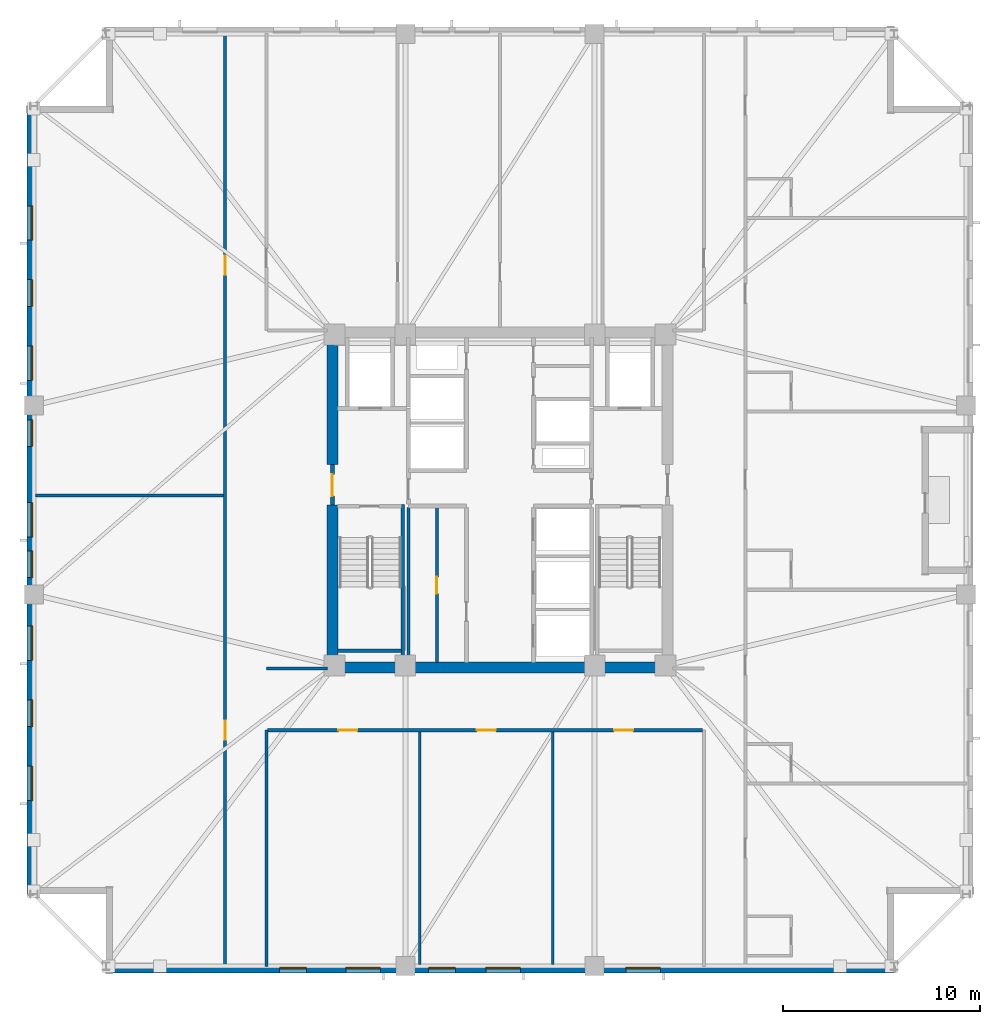
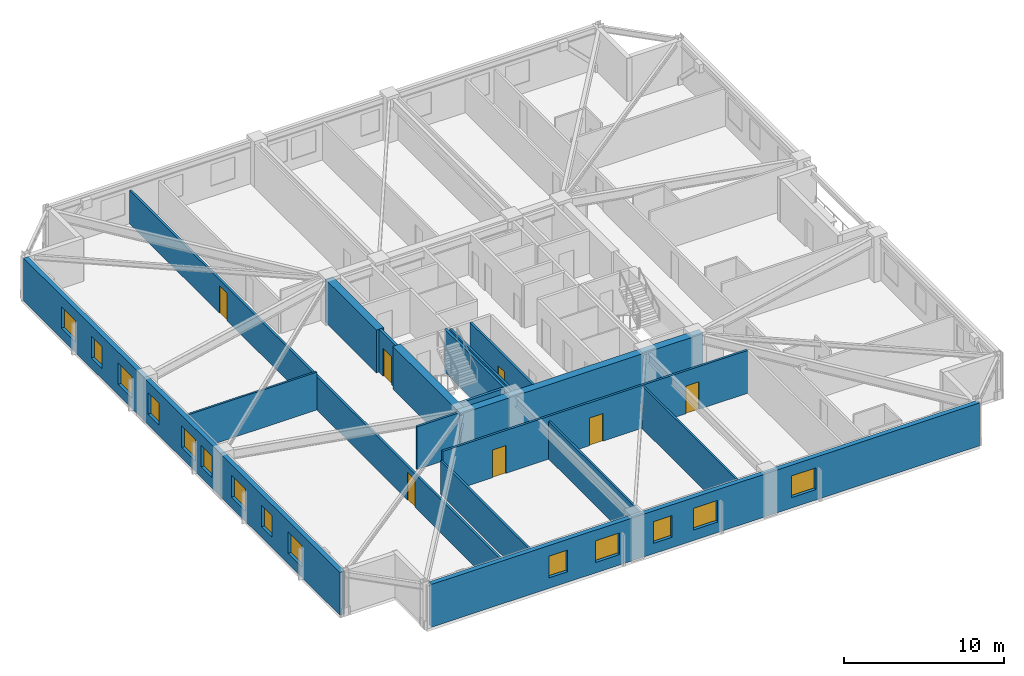
# One storey, part 2 of 10: 17 walls, 14 windows, 7 doors, 21 openings.
"""IFC4 building model written with IfcOpenShell, lengths in metres."""

from ifc_helpers import new_model, si_unit, direction, frame, frame_2d, origin, place, context, subcontext, project, spatial, rectangle, extrude, material, layer, layer_set, type_object, element, fill, save


model = new_model("IFC4")

# Units and contexts
model_context = context("Model", 3, precision=1e-05, world=origin(), true_north=direction((0.0, 1.0)))
body_context = subcontext(model_context, "Body", "Model", "MODEL_VIEW")
ifc_project = project(units=[si_unit("LENGTHUNIT", "METRE"), si_unit("AREAUNIT", "SQUARE_METRE"), si_unit("VOLUMEUNIT", "CUBIC_METRE"), si_unit("PLANEANGLEUNIT", "RADIAN"), si_unit("MASSUNIT", "GRAM", prefix="KILO")], contexts=[model_context])

# Site, building, storey
site_placement = place(None, origin())
site = spatial("IfcSite", under=ifc_project, at=site_placement, CompositionType="ELEMENT")
building_placement = place(site_placement, origin())
building = spatial("IfcBuilding", under=site, at=building_placement, Name="Cairnveth Concourse Tower", CompositionType="ELEMENT")
storey_placement = place(building_placement, frame((0.0, 0.0, 186.5)))
storey = spatial("IfcBuildingStorey", under=building, at=storey_placement, Name="L51", CompositionType="ELEMENT", Elevation=186.5)

# Wall
ifc_material_1 = material(Name="Gypsum Plasterboard Partition", Category="gypsum")
ifc_layer_1 = layer(ifc_material_1, 0.159912109375)
ifc_layer_set_1 = layer_set([ifc_layer_1], Name="Gypsum Plasterboard Partition")
wall_type_1 = type_object("IfcWallType", Name="ACOUSTIC PARTY WALL 180", PredefinedType="PARTITIONING", material=ifc_layer_set_1)
wall_1_placement = place(storey_placement, frame((47.35009765625, 30.760009765625, 0.0), z_axis=(0.0, 0.0, 1.0), x_axis=(0.0, 1.0, 0.0)))
element("IfcWall", 1, at=wall_1_placement, inside=storey, type_object=wall_type_1, Name="Interior Wall IW-L51-025", PredefinedType="PARTITIONING", context=body_context, shape_type="SweptSolid", body=[
    extrude(rectangle(XDim=7.85498046875, YDim=0.159912109375, at=frame_2d((3.927490234375, 0.0))), origin(), (0.0, 0.0, 1.0), 3.280029296875),
])

# Wall, opening, door
wall_2_placement = place(storey_placement, frame((48.800048828125, 30.760009765625, 0.0), z_axis=(0.0, 0.0, 1.0), x_axis=(0.0, 1.0, 0.0)))
wall_2 = element("IfcWall", 2, at=wall_2_placement, inside=storey, type_object=wall_type_1, Name="Interior Wall IW-L51-026", PredefinedType="PARTITIONING", context=body_context, shape_type="SweptSolid", body=[
    extrude(rectangle(XDim=7.85498046875, YDim=0.159912109375, at=frame_2d((3.927490234375, 0.0))), origin(), (0.0, 0.0, 1.0), 3.280029296875),
])
opening_1_placement = place(wall_2_placement, frame((3.489990234375, 0.0, 0.0)))
opening_1 = element("IfcOpeningElement", 3, at=opening_1_placement, cuts=wall_2, Name="Opening ID19", PredefinedType="OPENING", context=body_context, shape_type="SweptSolid", body=[
    extrude(rectangle(XDim=0.85009765625, YDim=2.1201171875, at=frame_2d((0.425048828125, 1.06005859375))), frame((0.0, 0.08984375, 0.0), z_axis=(0.0, -1.0, 0.0), x_axis=(1.0, 0.0, 0.0)), (0.0, 0.0, 1.0), 0.179931640625),
])
ifc_material_2 = material(Name="Steel Grade 350", Category="steel")
door_type_1 = type_object("IfcDoorType", Name="CORE SERVICE DOOR 850X2100", OperationType="NOTDEFINED", PredefinedType="DOOR", material=ifc_material_2)
door_1_placement = place(opening_1_placement, origin())
door_1 = element("IfcDoor", 4, at=door_1_placement, inside=storey, type_object=door_type_1, Name="Inner Store Door L51", OperationType="SINGLE_SWING_RIGHT", OverallHeight=2.1201171875, OverallWidth=0.85009765625, PredefinedType="DOOR", context=body_context, shape_type="SweptSolid", body=[
    extrude(rectangle(XDim=0.85009765625, YDim=2.1201171875, at=frame_2d((0.425048828125, 1.06005859375))), frame((0.0, 0.02490234375, 0.0), z_axis=(0.0, -1.0, 0.0), x_axis=(1.0, 0.0, 0.0)), (0.0, 0.0, 1.0), 0.050048828125),
])
fill(opening_1, door_1)

# Wall, openings, doors
wall_3_placement = place(storey_placement, frame((38.050048828125, 15.324951171875, 0.0), z_axis=(0.0, 0.0, 1.0), x_axis=(0.0, 1.0, 0.0)))
wall_3 = element("IfcWall", 5, at=wall_3_placement, inside=storey, type_object=wall_type_1, Name="Interior Wall IW-L51-037", PredefinedType="PARTITIONING", context=body_context, shape_type="SweptSolid", body=[
    extrude(rectangle(XDim=47.35009765625, YDim=0.159912109375, at=frame_2d((23.675048828125, 0.0))), origin(), (0.0, 0.0, 1.0), 2.554931640625),
])
opening_2_placement = place(wall_3_placement, frame((11.521240234375, 0.0, 0.0)))
opening_2 = element("IfcOpeningElement", 6, at=opening_2_placement, cuts=wall_3, Name="Opening ID11", PredefinedType="OPENING", context=body_context, shape_type="SweptSolid", body=[
    extrude(rectangle(XDim=0.9599609375, YDim=2.1201171875, at=frame_2d((0.47998046875, 1.06005859375))), frame((0.0, 0.08984375, 0.0), z_axis=(0.0, -1.0, 0.0), x_axis=(1.0, 0.0, 0.0)), (0.0, 0.0, 1.0), 0.179931640625),
])
opening_3_placement = place(wall_3_placement, frame((35.101318359375, 0.0, 0.0)))
opening_3 = element("IfcOpeningElement", 7, at=opening_3_placement, cuts=wall_3, Name="Opening ID11", PredefinedType="OPENING", context=body_context, shape_type="SweptSolid", body=[
    extrude(rectangle(XDim=0.9599609375, YDim=2.1201171875, at=frame_2d((0.47998046875, 1.06005859375))), frame((0.0, 0.08984375, 0.0), z_axis=(0.0, -1.0, 0.0), x_axis=(1.0, 0.0, 0.0)), (0.0, 0.0, 1.0), 0.179931640625),
])
ifc_material_3 = material(Name="Solid Core Hardwood Timber Leaf", Category="wood")
door_type_2 = type_object("IfcDoorType", Name="INTERIOR SINGLE DOOR 960X2150", OperationType="NOTDEFINED", PredefinedType="DOOR", material=ifc_material_3)
door_2_placement = place(opening_2_placement, origin())
door_2 = element("IfcDoor", 8, at=door_2_placement, inside=storey, type_object=door_type_2, Name="Office Door L51-W1", OperationType="SINGLE_SWING_LEFT", OverallHeight=2.1201171875, OverallWidth=0.9599609375, PredefinedType="DOOR", context=body_context, shape_type="SweptSolid", body=[
    extrude(rectangle(XDim=0.9599609375, YDim=2.1201171875, at=frame_2d((0.47998046875, 1.06005859375))), frame((0.0, 0.02490234375, 0.0), z_axis=(0.0, -1.0, 0.0), x_axis=(1.0, 0.0, 0.0)), (0.0, 0.0, 1.0), 0.050048828125),
])
fill(opening_2, door_2)
door_3_placement = place(opening_3_placement, origin())
door_3 = element("IfcDoor", 9, at=door_3_placement, inside=storey, type_object=door_type_2, Name="Office Door L51-W2", OperationType="SINGLE_SWING_RIGHT", OverallHeight=2.1201171875, OverallWidth=0.9599609375, PredefinedType="DOOR", context=body_context, shape_type="SweptSolid", body=[
    extrude(rectangle(XDim=0.9599609375, YDim=2.1201171875, at=frame_2d((0.47998046875, 1.06005859375))), frame((0.0, 0.02490234375, 0.0), z_axis=(0.0, -1.0, 0.0), x_axis=(1.0, 0.0, 0.0)), (0.0, 0.0, 1.0), 0.050048828125),
])
fill(opening_3, door_3)

# Walls
wall_4_placement = place(storey_placement, frame((40.14990234375, 15.324951171875, 0.0), z_axis=(0.0, 0.0, 1.0), x_axis=(0.0, 1.0, 0.0)))
element("IfcWall", 10, at=wall_4_placement, inside=storey, type_object=wall_type_1, Name="Interior Wall IW-L51-038", PredefinedType="PARTITIONING", context=body_context, shape_type="SweptSolid", body=[
    extrude(rectangle(XDim=11.9951171875, YDim=0.159912109375, at=frame_2d((5.99755859375, 0.0))), origin(), (0.0, 0.0, 1.0), 2.554931640625),
])
wall_5_placement = place(storey_placement, frame((40.14990234375, 30.449951171875, 0.0), z_axis=(0.0, 0.0, 1.0), x_axis=(1.0, 0.0, 0.0)))
element("IfcWall", 11, at=wall_5_placement, inside=storey, type_object=wall_type_1, Name="Interior Wall IW-L51-040", PredefinedType="PARTITIONING", context=body_context, shape_type="SweptSolid", body=[
    extrude(rectangle(XDim=3.085205078125, YDim=0.159912109375, at=frame_2d((1.54248046875, 0.0))), origin(), (0.0, 0.0, 1.0), 3.280029296875),
])

# Wall, openings, doors
wall_6_placement = place(storey_placement, frame((40.215087890625, 27.320068359375, 0.0), z_axis=(0.0, 0.0, 1.0), x_axis=(1.0, 0.0, 0.0)))
wall_6 = element("IfcWall", 12, at=wall_6_placement, inside=storey, type_object=wall_type_1, Name="Interior Wall IW-L51-047", PredefinedType="PARTITIONING", context=body_context, shape_type="SweptSolid", body=[
    extrude(rectangle(XDim=22.06982421875, YDim=0.159912109375, at=frame_2d((11.034912109375, 0.0))), origin(), (0.0, 0.0, 1.0), 3.280029296875),
])
opening_4_placement = place(wall_6_placement, frame((3.587158203125, 0.0, 0.0)))
opening_4 = element("IfcOpeningElement", 13, at=opening_4_placement, cuts=wall_6, Name="Opening ID11", PredefinedType="OPENING", context=body_context, shape_type="SweptSolid", body=[
    extrude(rectangle(XDim=0.9599609375, YDim=2.1201171875, at=frame_2d((0.47998046875, 1.06005859375))), frame((0.0, 0.08984375, 0.0), z_axis=(0.0, -1.0, 0.0), x_axis=(1.0, 0.0, 0.0)), (0.0, 0.0, 1.0), 0.179931640625),
])
opening_5_placement = place(wall_6_placement, frame((10.610107421875, 0.0, 0.0)))
opening_5 = element("IfcOpeningElement", 14, at=opening_5_placement, cuts=wall_6, Name="Opening ID11", PredefinedType="OPENING", context=body_context, shape_type="SweptSolid", body=[
    extrude(rectangle(XDim=0.9599609375, YDim=2.1201171875, at=frame_2d((0.47998046875, 1.06005859375))), frame((0.0, 0.08984375, 0.0), z_axis=(0.0, -1.0, 0.0), x_axis=(1.0, 0.0, 0.0)), (0.0, 0.0, 1.0), 0.179931640625),
])
opening_6_placement = place(wall_6_placement, frame((17.577880859375, 0.0, 0.0)))
opening_6 = element("IfcOpeningElement", 15, at=opening_6_placement, cuts=wall_6, Name="Opening ID11", PredefinedType="OPENING", context=body_context, shape_type="SweptSolid", body=[
    extrude(rectangle(XDim=0.9599609375, YDim=2.1201171875, at=frame_2d((0.47998046875, 1.06005859375))), frame((0.0, 0.08984375, 0.0), z_axis=(0.0, -1.0, 0.0), x_axis=(1.0, 0.0, 0.0)), (0.0, 0.0, 1.0), 0.179931640625),
])
door_4_placement = place(opening_4_placement, origin())
door_4 = element("IfcDoor", 16, at=door_4_placement, inside=storey, type_object=door_type_2, Name="Office Door L51-S1", OperationType="SINGLE_SWING_RIGHT", OverallHeight=2.1201171875, OverallWidth=0.9599609375, PredefinedType="DOOR", context=body_context, shape_type="SweptSolid", body=[
    extrude(rectangle(XDim=0.9599609375, YDim=2.1201171875, at=frame_2d((0.47998046875, 1.06005859375))), frame((0.0, 0.02490234375, 0.0), z_axis=(0.0, -1.0, 0.0), x_axis=(1.0, 0.0, 0.0)), (0.0, 0.0, 1.0), 0.050048828125),
])
fill(opening_4, door_4)
door_5_placement = place(opening_5_placement, origin())
door_5 = element("IfcDoor", 17, at=door_5_placement, inside=storey, type_object=door_type_2, Name="Office Door L51-S2", OperationType="SINGLE_SWING_LEFT", OverallHeight=2.1201171875, OverallWidth=0.9599609375, PredefinedType="DOOR", context=body_context, shape_type="SweptSolid", body=[
    extrude(rectangle(XDim=0.9599609375, YDim=2.1201171875, at=frame_2d((0.47998046875, 1.06005859375))), frame((0.0, 0.02490234375, 0.0), z_axis=(0.0, -1.0, 0.0), x_axis=(1.0, 0.0, 0.0)), (0.0, 0.0, 1.0), 0.050048828125),
])
fill(opening_5, door_5)
door_6_placement = place(opening_6_placement, origin())
door_6 = element("IfcDoor", 18, at=door_6_placement, inside=storey, type_object=door_type_2, Name="Office Door L51-S3", OperationType="SINGLE_SWING_RIGHT", OverallHeight=2.1201171875, OverallWidth=0.9599609375, PredefinedType="DOOR", context=body_context, shape_type="SweptSolid", body=[
    extrude(rectangle(XDim=0.9599609375, YDim=2.1201171875, at=frame_2d((0.47998046875, 1.06005859375))), frame((0.0, 0.02490234375, 0.0), z_axis=(0.0, -1.0, 0.0), x_axis=(1.0, 0.0, 0.0)), (0.0, 0.0, 1.0), 0.050048828125),
])
fill(opening_6, door_6)

# Walls
ifc_material_4 = material(Name="Concrete N80 (80 MPa)", Category="concrete")
ifc_layer_2 = layer(ifc_material_4, 0.550048828125)
ifc_layer_set_2 = layer_set([ifc_layer_2], Name="Concrete N80 (80 MPa)")
wall_type_2 = type_object("IfcWallType", Name="CORE SHEAR WALL 550", PredefinedType="SHEAR", material=ifc_layer_set_2)
wall_7_placement = place(storey_placement, frame((43.22509765625, 30.5, 0.0), z_axis=(0.0, 0.0, 1.0), x_axis=(1.0, 0.0, 0.0)))
element("IfcWall", 19, at=wall_7_placement, inside=storey, type_object=wall_type_2, Name="Core South Shear Wall L51", PredefinedType="SHEAR", context=body_context, shape_type="SweptSolid", body=[
    extrude(rectangle(XDim=17.5498046875, YDim=0.550048828125, at=frame_2d((8.77490234375, 0.0))), origin(), (0.0, 0.0, 1.0), 3.280029296875),
])
wall_8_placement = place(storey_placement, frame((43.5, 30.764892578125, 0.0), z_axis=(0.0, 0.0, 1.0), x_axis=(0.0, 1.0, 0.0)))
element("IfcWall", 20, at=wall_8_placement, inside=storey, type_object=wall_type_2, Name="Core West Shear Wall S L51", PredefinedType="SHEAR", context=body_context, shape_type="SweptSolid", body=[
    extrude(rectangle(XDim=7.985107421875, YDim=0.550048828125, at=frame_2d((3.99267578125, 0.0))), origin(), (0.0, 0.0, 1.0), 3.280029296875),
])
wall_9_placement = place(storey_placement, frame((43.5, 40.800048828125, 0.0), z_axis=(0.0, 0.0, 1.0), x_axis=(0.0, 1.0, 0.0)))
element("IfcWall", 21, at=wall_9_placement, inside=storey, type_object=wall_type_2, Name="Core West Shear Wall N L51", PredefinedType="SHEAR", context=body_context, shape_type="SweptSolid", body=[
    extrude(rectangle(XDim=6.43505859375, YDim=0.550048828125, at=frame_2d((3.217529296875, 0.0))), origin(), (0.0, 0.0, 1.0), 3.280029296875),
])
ifc_material_5 = material(Name="Concrete N50 (50 MPa)", Category="concrete")
ifc_layer_3 = layer(ifc_material_5, 0.179931640625)
ifc_layer_set_3 = layer_set([ifc_layer_3], Name="Concrete N50 (50 MPa)")
wall_type_3 = type_object("IfcWallType", Name="FIRE SHAFT WALL 180", PredefinedType="SOLIDWALL", material=ifc_layer_set_3)
wall_10_placement = place(storey_placement, frame((43.764892578125, 31.360107421875, 0.0), z_axis=(0.0, 0.0, 1.0), x_axis=(1.0, 0.0, 0.0)))
element("IfcWall", 22, at=wall_10_placement, inside=storey, type_object=wall_type_3, Name="Stair ST-1 Shaft Wall FAR L51", PredefinedType="SOLIDWALL", context=body_context, shape_type="SweptSolid", body=[
    extrude(rectangle(XDim=3.230224609375, YDim=0.179931640625, at=frame_2d((1.615234375, 0.0))), origin(), (0.0, 0.0, 1.0), 3.280029296875),
])
wall_11_placement = place(storey_placement, frame((47.070068359375, 38.780029296875, 0.0), z_axis=(0.0, 0.0, 1.0), x_axis=(0.0, -1.0, 0.0)))
element("IfcWall", 23, at=wall_11_placement, inside=storey, type_object=wall_type_3, Name="Stair ST-1 Shaft Wall RGHT L51", PredefinedType="SOLIDWALL", context=body_context, shape_type="SweptSolid", body=[
    extrude(rectangle(XDim=8.01708984375, YDim=0.179931640625, at=frame_2d((4.008544921875, 0.0))), origin(), (0.0, 0.0, 1.0), 3.280029296875),
])

# Wall, opening, door
ifc_layer_4 = layer(ifc_material_5, 0.199951171875)
ifc_layer_set_4 = layer_set([ifc_layer_4], Name="Concrete N50 (50 MPa)")
wall_type_4 = type_object("IfcWallType", Name="FIRE SHAFT WALL 200", PredefinedType="SOLIDWALL", material=ifc_layer_set_4)
wall_12_placement = place(storey_placement, frame((43.5, 38.75, 0.0), z_axis=(0.0, 0.0, 1.0), x_axis=(0.0, 1.0, 0.0)))
wall_12 = element("IfcWall", 24, at=wall_12_placement, inside=storey, type_object=wall_type_4, Name="Interior Wall IW-L51-015", PredefinedType="SOLIDWALL", context=body_context, shape_type="SweptSolid", body=[
    extrude(rectangle(XDim=2.050048828125, YDim=0.199951171875, at=frame_2d((1.02490234375, 0.0))), origin(), (0.0, 0.0, 1.0), 3.280029296875),
])
opening_7_placement = place(wall_12_placement, frame((0.449951171875, 0.0, 0.0)))
opening_7 = element("IfcOpeningElement", 25, at=opening_7_placement, cuts=wall_12, Name="Opening ID06", PredefinedType="OPENING", context=body_context, shape_type="SweptSolid", body=[
    extrude(rectangle(XDim=1.10009765625, YDim=2.14990234375, at=frame_2d((0.550048828125, 1.074951171875))), frame((0.0, 0.10986328125, 0.0), z_axis=(0.0, -1.0, 0.0), x_axis=(1.0, 0.0, 0.0)), (0.0, 0.0, 1.0), 0.219970703125),
])
door_type_3 = type_object("IfcDoorType", Name="FIRE CORRIDOR DOOR 1100X2150", OperationType="NOTDEFINED", PredefinedType="DOOR", material=ifc_material_2)
door_7_placement = place(opening_7_placement, origin())
door_7 = element("IfcDoor", 26, at=door_7_placement, inside=storey, type_object=door_type_3, Name="West Wing to FF Lobby Door L51", OperationType="SINGLE_SWING_LEFT", OverallHeight=2.14990234375, OverallWidth=1.10009765625, PredefinedType="DOOR", context=body_context, shape_type="SweptSolid", body=[
    extrude(rectangle(XDim=1.10009765625, YDim=2.14990234375, at=frame_2d((0.550048828125, 1.074951171875))), frame((0.0, 0.02490234375, 0.0), z_axis=(0.0, -1.0, 0.0), x_axis=(1.0, 0.0, 0.0)), (0.0, 0.0, 1.0), 0.050048828125),
])
fill(opening_7, door_7)

# Walls
ifc_layer_5 = layer(ifc_material_1, 0.139892578125)
ifc_layer_set_5 = layer_set([ifc_layer_5], Name="Gypsum Plasterboard Partition")
wall_type_5 = type_object("IfcWallType", Name="GYPSUM STUD PARTITION 140", PredefinedType="PARTITIONING", material=ifc_layer_set_5)
wall_13_placement = place(storey_placement, frame((47.93408203125, 15.419921875, 0.0), z_axis=(0.0, 0.0, 1.0), x_axis=(0.0, 1.0, 0.0)))
element("IfcWall", 27, at=wall_13_placement, inside=storey, type_object=wall_type_5, Name="Interior Wall IW-L51-051", PredefinedType="PARTITIONING", context=body_context, shape_type="SweptSolid", body=[
    extrude(rectangle(XDim=11.820068359375, YDim=0.139892578125, at=frame_2d((5.91015625, 0.0))), origin(), (0.0, 0.0, 1.0), 2.89599609375),
])
wall_14_placement = place(storey_placement, frame((54.67578125, 15.419921875, 0.0), z_axis=(0.0, 0.0, 1.0), x_axis=(0.0, 1.0, 0.0)))
element("IfcWall", 28, at=wall_14_placement, inside=storey, type_object=wall_type_5, Name="Interior Wall IW-L51-052", PredefinedType="PARTITIONING", context=body_context, shape_type="SweptSolid", body=[
    extrude(rectangle(XDim=11.820068359375, YDim=0.139892578125, at=frame_2d((5.91015625, 0.0))), origin(), (0.0, 0.0, 1.0), 3.280029296875),
])
wall_15_placement = place(storey_placement, frame((28.419921875, 39.232421875, 0.0), z_axis=(0.0, 0.0, 1.0), x_axis=(1.0, 0.0, 0.0)))
element("IfcWall", 29, at=wall_15_placement, inside=storey, type_object=wall_type_5, Name="Interior Wall IW-L51-053", PredefinedType="PARTITIONING", context=body_context, shape_type="SweptSolid", body=[
    extrude(rectangle(XDim=9.550048828125, YDim=0.139892578125, at=frame_2d((4.77490234375, 0.0))), origin(), (0.0, 0.0, 1.0), 2.89599609375),
])

# Wall, openings, windows
ifc_material_6 = material(Name="Hawthorn Red-Ochre Fired Clay Brick Masonry", Category="masonry")
ifc_layer_6 = layer(ifc_material_6, 0.340087890625)
ifc_layer_set_6 = layer_set([ifc_layer_6], Name="Hawthorn Red-Ochre Fired Clay Brick Masonry")
wall_type_6 = type_object("IfcWallType", Name="ZONE 2 BRICK PIER SPANDREL WALL 340", PredefinedType="SOLIDWALL", material=ifc_layer_set_6)
wall_16_placement = place(storey_placement, frame((72.0, 15.169921875, 0.0), z_axis=(0.0, 0.0, 1.0), x_axis=(-1.0, 0.0, 0.0)))
wall_16 = element("IfcWall", 30, at=wall_16_placement, inside=storey, type_object=wall_type_6, Name="Exterior Wall EW-L51-S03", PredefinedType="SOLIDWALL", context=body_context, shape_type="SweptSolid", body=[
    extrude(rectangle(XDim=39.681884765625, YDim=0.340087890625, at=frame_2d((19.8408203125, 0.0))), origin(), (0.0, 0.0, 1.0), 3.280029296875),
])
opening_8_placement = place(wall_16_placement, frame((11.85888671875, 0.0, 0.800048828125)))
opening_8 = element("IfcOpeningElement", 31, at=opening_8_placement, cuts=wall_16, Name="Opening W06", PredefinedType="OPENING", context=body_context, shape_type="SweptSolid", body=[
    extrude(rectangle(XDim=1.75, YDim=1.659912109375, at=frame_2d((0.875, 0.830078125))), frame((0.0, 0.179931640625, 0.0), z_axis=(0.0, -1.0, 0.0), x_axis=(1.0, 0.0, 0.0)), (0.0, 0.0, 1.0), 0.360107421875),
])
opening_9_placement = place(wall_16_placement, frame((18.966064453125, 0.0, 0.800048828125)))
opening_9 = element("IfcOpeningElement", 32, at=opening_9_placement, cuts=wall_16, Name="Opening W06", PredefinedType="OPENING", context=body_context, shape_type="SweptSolid", body=[
    extrude(rectangle(XDim=1.75, YDim=1.659912109375, at=frame_2d((0.875, 0.830078125))), frame((0.0, 0.179931640625, 0.0), z_axis=(0.0, -1.0, 0.0), x_axis=(1.0, 0.0, 0.0)), (0.0, 0.0, 1.0), 0.360107421875),
])
opening_10_placement = place(wall_16_placement, frame((22.26953125, 0.0, 0.800048828125)))
opening_10 = element("IfcOpeningElement", 33, at=opening_10_placement, cuts=wall_16, Name="Opening W02", PredefinedType="OPENING", context=body_context, shape_type="SweptSolid", body=[
    extrude(rectangle(XDim=1.35009765625, YDim=1.659912109375, at=frame_2d((0.675048828125, 0.830078125))), frame((0.0, 0.179931640625, 0.0), z_axis=(0.0, -1.0, 0.0), x_axis=(1.0, 0.0, 0.0)), (0.0, 0.0, 1.0), 0.360107421875),
])
opening_11_placement = place(wall_16_placement, frame((26.072998046875, 0.0, 0.800048828125)))
opening_11 = element("IfcOpeningElement", 34, at=opening_11_placement, cuts=wall_16, Name="Opening W06", PredefinedType="OPENING", context=body_context, shape_type="SweptSolid", body=[
    extrude(rectangle(XDim=1.75, YDim=1.659912109375, at=frame_2d((0.875, 0.830078125))), frame((0.0, 0.179931640625, 0.0), z_axis=(0.0, -1.0, 0.0), x_axis=(1.0, 0.0, 0.0)), (0.0, 0.0, 1.0), 0.360107421875),
])
opening_12_placement = place(wall_16_placement, frame((29.82666015625, 0.0, 0.800048828125)))
opening_12 = element("IfcOpeningElement", 35, at=opening_12_placement, cuts=wall_16, Name="Opening W02", PredefinedType="OPENING", context=body_context, shape_type="SweptSolid", body=[
    extrude(rectangle(XDim=1.35009765625, YDim=1.659912109375, at=frame_2d((0.675048828125, 0.830078125))), frame((0.0, 0.179931640625, 0.0), z_axis=(0.0, -1.0, 0.0), x_axis=(1.0, 0.0, 0.0)), (0.0, 0.0, 1.0), 0.360107421875),
])
ifc_material_7 = material(Name="Double Glazed Low-E Clear Glass", Category="glass")
window_type_1 = type_object("IfcWindowType", Name="DEEP-SET GOTHIC LANCET WINDOW 1350X1800", PartitioningType="DOUBLE_PANEL_VERTICAL", PredefinedType="WINDOW", material=ifc_material_7)
window_1_placement = place(opening_10_placement, origin())
window_1 = element("IfcWindow", 36, at=window_1_placement, inside=storey, type_object=window_type_1, Name="Gothic Lancet Window L51-3-6", OverallHeight=1.659912109375, OverallWidth=1.35009765625, PartitioningType="SINGLE_PANEL", PredefinedType="WINDOW", context=body_context, shape_type="SweptSolid", body=[
    extrude(rectangle(XDim=1.35009765625, YDim=1.659912109375, at=frame_2d((0.675048828125, 0.830078125))), frame((0.0, -0.050048828125, 0.0), z_axis=(0.0, -1.0, 0.0), x_axis=(1.0, 0.0, 0.0)), (0.0, 0.0, 1.0), 0.06005859375),
])
fill(opening_10, window_1)
window_2_placement = place(opening_12_placement, origin())
window_2 = element("IfcWindow", 37, at=window_2_placement, inside=storey, type_object=window_type_1, Name="Gothic Lancet Window L51-3-8", OverallHeight=1.659912109375, OverallWidth=1.35009765625, PartitioningType="SINGLE_PANEL", PredefinedType="WINDOW", context=body_context, shape_type="SweptSolid", body=[
    extrude(rectangle(XDim=1.35009765625, YDim=1.659912109375, at=frame_2d((0.675048828125, 0.830078125))), frame((0.0, -0.050048828125, 0.0), z_axis=(0.0, -1.0, 0.0), x_axis=(1.0, 0.0, 0.0)), (0.0, 0.0, 1.0), 0.06005859375),
])
fill(opening_12, window_2)
window_type_2 = type_object("IfcWindowType", Name="DEEP-SET HOTEL SUITE WINDOW 1750X1800", PartitioningType="DOUBLE_PANEL_VERTICAL", PredefinedType="WINDOW", material=ifc_material_7)
window_3_placement = place(opening_8_placement, origin())
window_3 = element("IfcWindow", 38, at=window_3_placement, inside=storey, type_object=window_type_2, Name="Gothic Lancet Window L51-3-3", OverallHeight=1.659912109375, OverallWidth=1.75, PartitioningType="SINGLE_PANEL", PredefinedType="WINDOW", context=body_context, shape_type="SweptSolid", body=[
    extrude(rectangle(XDim=1.75, YDim=1.659912109375, at=frame_2d((0.875, 0.830078125))), frame((0.0, -0.050048828125, 0.0), z_axis=(0.0, -1.0, 0.0), x_axis=(1.0, 0.0, 0.0)), (0.0, 0.0, 1.0), 0.06005859375),
])
fill(opening_8, window_3)
window_4_placement = place(opening_9_placement, origin())
window_4 = element("IfcWindow", 39, at=window_4_placement, inside=storey, type_object=window_type_2, Name="Gothic Lancet Window L51-3-5", OverallHeight=1.659912109375, OverallWidth=1.75, PartitioningType="SINGLE_PANEL", PredefinedType="WINDOW", context=body_context, shape_type="SweptSolid", body=[
    extrude(rectangle(XDim=1.75, YDim=1.659912109375, at=frame_2d((0.875, 0.830078125))), frame((0.0, -0.050048828125, 0.0), z_axis=(0.0, -1.0, 0.0), x_axis=(1.0, 0.0, 0.0)), (0.0, 0.0, 1.0), 0.06005859375),
])
fill(opening_9, window_4)
window_5_placement = place(opening_11_placement, origin())
window_5 = element("IfcWindow", 40, at=window_5_placement, inside=storey, type_object=window_type_2, Name="Gothic Lancet Window L51-3-7", OverallHeight=1.659912109375, OverallWidth=1.75, PartitioningType="SINGLE_PANEL", PredefinedType="WINDOW", context=body_context, shape_type="SweptSolid", body=[
    extrude(rectangle(XDim=1.75, YDim=1.659912109375, at=frame_2d((0.875, 0.830078125))), frame((0.0, -0.050048828125, 0.0), z_axis=(0.0, -1.0, 0.0), x_axis=(1.0, 0.0, 0.0)), (0.0, 0.0, 1.0), 0.06005859375),
])
fill(opening_11, window_5)

wall_17_placement = place(storey_placement, frame((28.169921875, 19.0, 0.0), z_axis=(0.0, 0.0, 1.0), x_axis=(0.0, 1.0, 0.0)))
wall_17 = element("IfcWall", 41, at=wall_17_placement, inside=storey, type_object=wall_type_6, Name="Exterior Wall EW-L51-S06", PredefinedType="SOLIDWALL", context=body_context, shape_type="SweptSolid", body=[
    extrude(rectangle(XDim=39.681884765625, YDim=0.340087890625, at=frame_2d((19.8408203125, 0.0))), origin(), (0.0, 0.0, 1.0), 3.280029296875),
])
opening_13_placement = place(wall_17_placement, frame((4.751708984375, 0.0, 0.800048828125)))
opening_13 = element("IfcOpeningElement", 42, at=opening_13_placement, cuts=wall_17, Name="Opening W06", PredefinedType="OPENING", context=body_context, shape_type="SweptSolid", body=[
    extrude(rectangle(XDim=1.75, YDim=1.659912109375, at=frame_2d((0.875, 0.830078125))), frame((0.0, 0.179931640625, 0.0), z_axis=(0.0, -1.0, 0.0), x_axis=(1.0, 0.0, 0.0)), (0.0, 0.0, 1.0), 0.360107421875),
])
opening_14_placement = place(wall_17_placement, frame((8.50537109375, 0.0, 0.800048828125)))
opening_14 = element("IfcOpeningElement", 43, at=opening_14_placement, cuts=wall_17, Name="Opening W02", PredefinedType="OPENING", context=body_context, shape_type="SweptSolid", body=[
    extrude(rectangle(XDim=1.35009765625, YDim=1.659912109375, at=frame_2d((0.675048828125, 0.830078125))), frame((0.0, 0.179931640625, 0.0), z_axis=(0.0, -1.0, 0.0), x_axis=(1.0, 0.0, 0.0)), (0.0, 0.0, 1.0), 0.360107421875),
])
opening_15_placement = place(wall_17_placement, frame((11.85888671875, 0.0, 0.800048828125)))
opening_15 = element("IfcOpeningElement", 44, at=opening_15_placement, cuts=wall_17, Name="Opening W06", PredefinedType="OPENING", context=body_context, shape_type="SweptSolid", body=[
    extrude(rectangle(XDim=1.75, YDim=1.659912109375, at=frame_2d((0.875, 0.830078125))), frame((0.0, 0.179931640625, 0.0), z_axis=(0.0, -1.0, 0.0), x_axis=(1.0, 0.0, 0.0)), (0.0, 0.0, 1.0), 0.360107421875),
])
opening_16_placement = place(wall_17_placement, frame((16.0625, 0.0, 0.800048828125)))
opening_16 = element("IfcOpeningElement", 45, at=opening_16_placement, cuts=wall_17, Name="Opening W02", PredefinedType="OPENING", context=body_context, shape_type="SweptSolid", body=[
    extrude(rectangle(XDim=1.35009765625, YDim=1.659912109375, at=frame_2d((0.675048828125, 0.830078125))), frame((0.0, 0.179931640625, 0.0), z_axis=(0.0, -1.0, 0.0), x_axis=(1.0, 0.0, 0.0)), (0.0, 0.0, 1.0), 0.360107421875),
])
opening_17_placement = place(wall_17_placement, frame((18.115966796875, 0.0, 0.800048828125)))
opening_17 = element("IfcOpeningElement", 46, at=opening_17_placement, cuts=wall_17, Name="Opening W06", PredefinedType="OPENING", context=body_context, shape_type="SweptSolid", body=[
    extrude(rectangle(XDim=1.75, YDim=1.659912109375, at=frame_2d((0.875, 0.830078125))), frame((0.0, 0.179931640625, 0.0), z_axis=(0.0, -1.0, 0.0), x_axis=(1.0, 0.0, 0.0)), (0.0, 0.0, 1.0), 0.360107421875),
])
opening_18_placement = place(wall_17_placement, frame((22.719482421875, 0.0, 0.800048828125)))
opening_18 = element("IfcOpeningElement", 47, at=opening_18_placement, cuts=wall_17, Name="Opening W02", PredefinedType="OPENING", context=body_context, shape_type="SweptSolid", body=[
    extrude(rectangle(XDim=1.35009765625, YDim=1.659912109375, at=frame_2d((0.675048828125, 0.830078125))), frame((0.0, 0.179931640625, 0.0), z_axis=(0.0, -1.0, 0.0), x_axis=(1.0, 0.0, 0.0)), (0.0, 0.0, 1.0), 0.360107421875),
])
opening_19_placement = place(wall_17_placement, frame((26.072998046875, 0.0, 0.800048828125)))
opening_19 = element("IfcOpeningElement", 48, at=opening_19_placement, cuts=wall_17, Name="Opening W06", PredefinedType="OPENING", context=body_context, shape_type="SweptSolid", body=[
    extrude(rectangle(XDim=1.75, YDim=1.659912109375, at=frame_2d((0.875, 0.830078125))), frame((0.0, 0.179931640625, 0.0), z_axis=(0.0, -1.0, 0.0), x_axis=(1.0, 0.0, 0.0)), (0.0, 0.0, 1.0), 0.360107421875),
])
opening_20_placement = place(wall_17_placement, frame((29.82666015625, 0.0, 0.800048828125)))
opening_20 = element("IfcOpeningElement", 49, at=opening_20_placement, cuts=wall_17, Name="Opening W02", PredefinedType="OPENING", context=body_context, shape_type="SweptSolid", body=[
    extrude(rectangle(XDim=1.35009765625, YDim=1.659912109375, at=frame_2d((0.675048828125, 0.830078125))), frame((0.0, 0.179931640625, 0.0), z_axis=(0.0, -1.0, 0.0), x_axis=(1.0, 0.0, 0.0)), (0.0, 0.0, 1.0), 0.360107421875),
])
opening_21_placement = place(wall_17_placement, frame((33.18017578125, 0.0, 0.800048828125)))
opening_21 = element("IfcOpeningElement", 50, at=opening_21_placement, cuts=wall_17, Name="Opening W06", PredefinedType="OPENING", context=body_context, shape_type="SweptSolid", body=[
    extrude(rectangle(XDim=1.75, YDim=1.659912109375, at=frame_2d((0.875, 0.830078125))), frame((0.0, 0.179931640625, 0.0), z_axis=(0.0, -1.0, 0.0), x_axis=(1.0, 0.0, 0.0)), (0.0, 0.0, 1.0), 0.360107421875),
])
window_6_placement = place(opening_14_placement, origin())
window_6 = element("IfcWindow", 51, at=window_6_placement, inside=storey, type_object=window_type_1, Name="Gothic Lancet Window L51-6-2", OverallHeight=1.659912109375, OverallWidth=1.35009765625, PartitioningType="SINGLE_PANEL", PredefinedType="WINDOW", context=body_context, shape_type="SweptSolid", body=[
    extrude(rectangle(XDim=1.35009765625, YDim=1.659912109375, at=frame_2d((0.675048828125, 0.830078125))), frame((0.0, -0.050048828125, 0.0), z_axis=(0.0, -1.0, 0.0), x_axis=(1.0, 0.0, 0.0)), (0.0, 0.0, 1.0), 0.06005859375),
])
fill(opening_14, window_6)
window_7_placement = place(opening_16_placement, origin())
window_7 = element("IfcWindow", 52, at=window_7_placement, inside=storey, type_object=window_type_1, Name="Gothic Lancet Window L51-6-4", OverallHeight=1.659912109375, OverallWidth=1.35009765625, PartitioningType="SINGLE_PANEL", PredefinedType="WINDOW", context=body_context, shape_type="SweptSolid", body=[
    extrude(rectangle(XDim=1.35009765625, YDim=1.659912109375, at=frame_2d((0.675048828125, 0.830078125))), frame((0.0, -0.050048828125, 0.0), z_axis=(0.0, -1.0, 0.0), x_axis=(1.0, 0.0, 0.0)), (0.0, 0.0, 1.0), 0.06005859375),
])
fill(opening_16, window_7)
window_8_placement = place(opening_18_placement, origin())
window_8 = element("IfcWindow", 53, at=window_8_placement, inside=storey, type_object=window_type_1, Name="Gothic Lancet Window L51-6-6", OverallHeight=1.659912109375, OverallWidth=1.35009765625, PartitioningType="SINGLE_PANEL", PredefinedType="WINDOW", context=body_context, shape_type="SweptSolid", body=[
    extrude(rectangle(XDim=1.35009765625, YDim=1.659912109375, at=frame_2d((0.675048828125, 0.830078125))), frame((0.0, -0.050048828125, 0.0), z_axis=(0.0, -1.0, 0.0), x_axis=(1.0, 0.0, 0.0)), (0.0, 0.0, 1.0), 0.06005859375),
])
fill(opening_18, window_8)
window_9_placement = place(opening_20_placement, origin())
window_9 = element("IfcWindow", 54, at=window_9_placement, inside=storey, type_object=window_type_1, Name="Gothic Lancet Window L51-6-8", OverallHeight=1.659912109375, OverallWidth=1.35009765625, PartitioningType="SINGLE_PANEL", PredefinedType="WINDOW", context=body_context, shape_type="SweptSolid", body=[
    extrude(rectangle(XDim=1.35009765625, YDim=1.659912109375, at=frame_2d((0.675048828125, 0.830078125))), frame((0.0, -0.050048828125, 0.0), z_axis=(0.0, -1.0, 0.0), x_axis=(1.0, 0.0, 0.0)), (0.0, 0.0, 1.0), 0.06005859375),
])
fill(opening_20, window_9)
window_10_placement = place(opening_13_placement, origin())
window_10 = element("IfcWindow", 55, at=window_10_placement, inside=storey, type_object=window_type_2, Name="Gothic Lancet Window L51-6-1", OverallHeight=1.659912109375, OverallWidth=1.75, PartitioningType="SINGLE_PANEL", PredefinedType="WINDOW", context=body_context, shape_type="SweptSolid", body=[
    extrude(rectangle(XDim=1.75, YDim=1.659912109375, at=frame_2d((0.875, 0.830078125))), frame((0.0, -0.050048828125, 0.0), z_axis=(0.0, -1.0, 0.0), x_axis=(1.0, 0.0, 0.0)), (0.0, 0.0, 1.0), 0.06005859375),
])
fill(opening_13, window_10)
window_11_placement = place(opening_15_placement, origin())
window_11 = element("IfcWindow", 56, at=window_11_placement, inside=storey, type_object=window_type_2, Name="Gothic Lancet Window L51-6-3", OverallHeight=1.659912109375, OverallWidth=1.75, PartitioningType="SINGLE_PANEL", PredefinedType="WINDOW", context=body_context, shape_type="SweptSolid", body=[
    extrude(rectangle(XDim=1.75, YDim=1.659912109375, at=frame_2d((0.875, 0.830078125))), frame((0.0, -0.050048828125, 0.0), z_axis=(0.0, -1.0, 0.0), x_axis=(1.0, 0.0, 0.0)), (0.0, 0.0, 1.0), 0.06005859375),
])
fill(opening_15, window_11)
window_12_placement = place(opening_17_placement, origin())
window_12 = element("IfcWindow", 57, at=window_12_placement, inside=storey, type_object=window_type_2, Name="Gothic Lancet Window L51-6-5", OverallHeight=1.659912109375, OverallWidth=1.75, PartitioningType="SINGLE_PANEL", PredefinedType="WINDOW", context=body_context, shape_type="SweptSolid", body=[
    extrude(rectangle(XDim=1.75, YDim=1.659912109375, at=frame_2d((0.875, 0.830078125))), frame((0.0, -0.050048828125, 0.0), z_axis=(0.0, -1.0, 0.0), x_axis=(1.0, 0.0, 0.0)), (0.0, 0.0, 1.0), 0.06005859375),
])
fill(opening_17, window_12)
window_13_placement = place(opening_19_placement, origin())
window_13 = element("IfcWindow", 58, at=window_13_placement, inside=storey, type_object=window_type_2, Name="Gothic Lancet Window L51-6-7", OverallHeight=1.659912109375, OverallWidth=1.75, PartitioningType="SINGLE_PANEL", PredefinedType="WINDOW", context=body_context, shape_type="SweptSolid", body=[
    extrude(rectangle(XDim=1.75, YDim=1.659912109375, at=frame_2d((0.875, 0.830078125))), frame((0.0, -0.050048828125, 0.0), z_axis=(0.0, -1.0, 0.0), x_axis=(1.0, 0.0, 0.0)), (0.0, 0.0, 1.0), 0.06005859375),
])
fill(opening_19, window_13)
window_14_placement = place(opening_21_placement, origin())
window_14 = element("IfcWindow", 59, at=window_14_placement, inside=storey, type_object=window_type_2, Name="Gothic Lancet Window L51-6-9", OverallHeight=1.659912109375, OverallWidth=1.75, PartitioningType="SINGLE_PANEL", PredefinedType="WINDOW", context=body_context, shape_type="SweptSolid", body=[
    extrude(rectangle(XDim=1.75, YDim=1.659912109375, at=frame_2d((0.875, 0.830078125))), frame((0.0, -0.050048828125, 0.0), z_axis=(0.0, -1.0, 0.0), x_axis=(1.0, 0.0, 0.0)), (0.0, 0.0, 1.0), 0.06005859375),
])
fill(opening_21, window_14)

save(model, "model.ifc")
